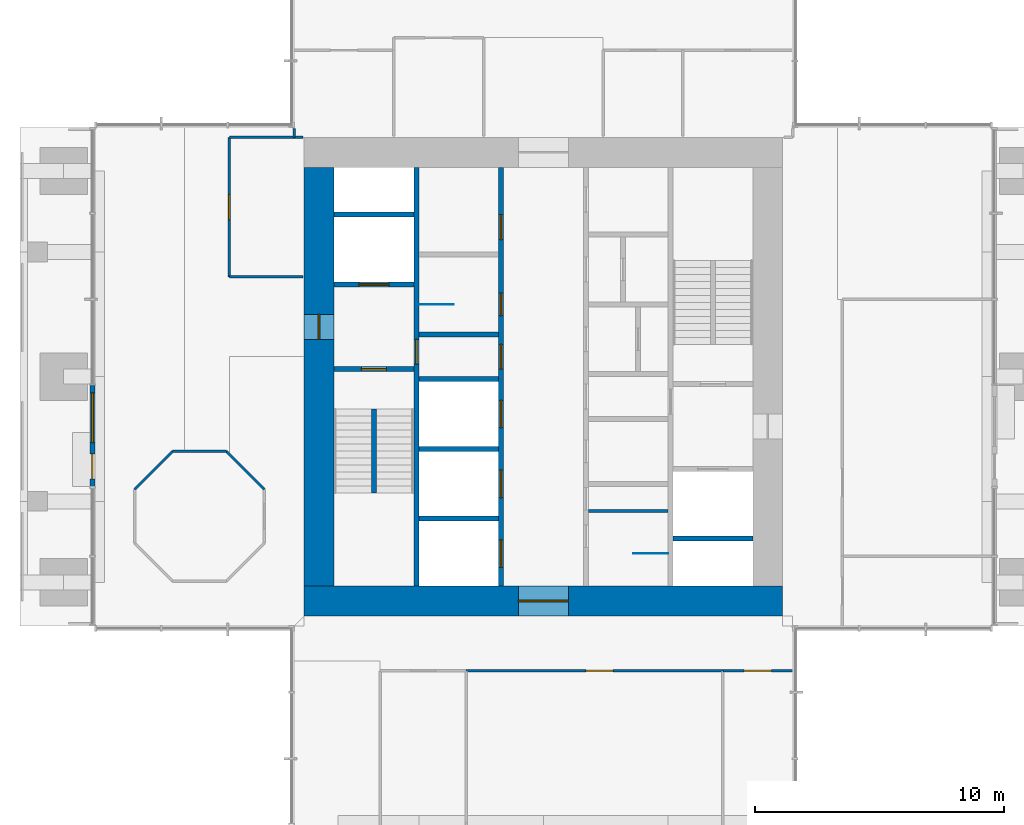
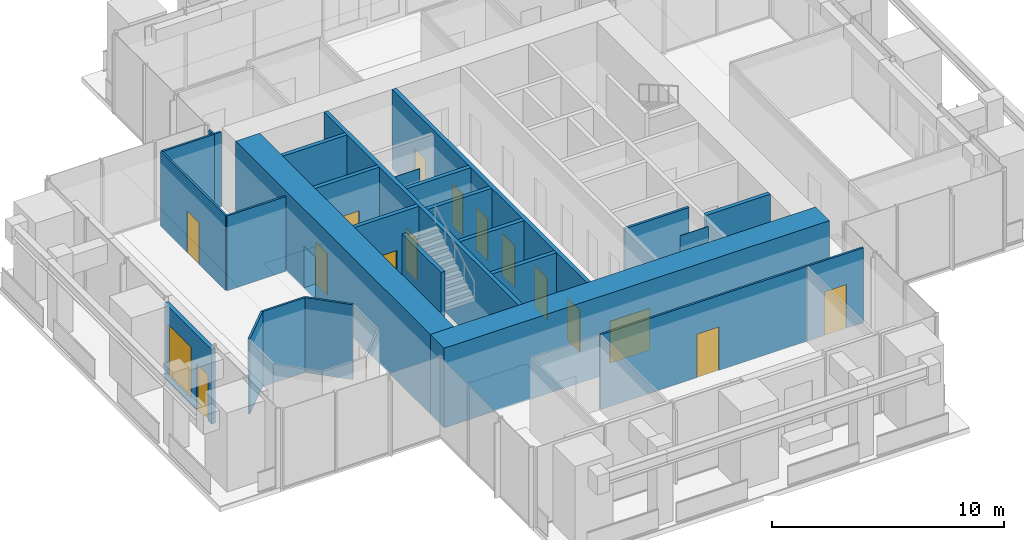
# One storey, part 7 of 12: 27 walls, 15 doors, 1 window, 16 openings.
"""IFC4 building model written with IfcOpenShell, lengths in metres."""

from ifc_helpers import new_model, si_unit, direction, frame, frame_2d, origin, place, context, subcontext, project, spatial, rectangle, extrude, material, layer, layer_set, type_object, element, fill, save


model = new_model("IFC4")

# Units and contexts
model_context = context("Model", 3, precision=1e-05, world=origin(), true_north=direction((0.0, 1.0)))
body_context = subcontext(model_context, "Body", "Model", "MODEL_VIEW")
ifc_project = project(units=[si_unit("LENGTHUNIT", "METRE"), si_unit("AREAUNIT", "SQUARE_METRE"), si_unit("VOLUMEUNIT", "CUBIC_METRE"), si_unit("PLANEANGLEUNIT", "RADIAN"), si_unit("MASSUNIT", "GRAM", prefix="KILO")], contexts=[model_context])

# Site, building, storey
site_placement = place(None, origin())
site = spatial("IfcSite", under=ifc_project, at=site_placement, CompositionType="ELEMENT")
building_placement = place(site_placement, origin())
building = spatial("IfcBuilding", under=site, at=building_placement, Name="Svetlomir Tower", CompositionType="ELEMENT")
storey_placement = place(building_placement, frame((0.0, 0.0, 269.199951171875)))
storey = spatial("IfcBuildingStorey", under=building, at=storey_placement, Name="L64", CompositionType="ELEMENT", Elevation=269.199951171875)

# Wall, openings, door, window
ifc_material_1 = material(Name="Bronze anodised aluminium glazed screen", Category="aluminium")
ifc_layer_1 = layer(ifc_material_1, 0.199951171875)
ifc_layer_set_1 = layer_set([ifc_layer_1], Name="Bronze anodised aluminium glazed screen")
wall_type_1 = type_object("IfcWallType", Name="BALCONY SCREEN WALL 200", PredefinedType="USERDEFINED", material=ifc_layer_set_1)
wall_1_placement = place(storey_placement, frame((2.89990234375, 20.64990234375, 0.0), z_axis=(0.0, 0.0, 1.0), x_axis=(0.0, -1.0, 0.0)))
wall_1 = element("IfcWall", 1, at=wall_1_placement, inside=storey, type_object=wall_type_1, Name="Balcony screen W", ObjectType="GLAZED SCREEN", PredefinedType="USERDEFINED", context=body_context, shape_type="SweptSolid", body=[
    extrude(rectangle(XDim=4.0498046875, YDim=0.199951171875, at=frame_2d((2.02490234375, 0.0))), origin(), (0.0, 0.0, 1.0), 3.949951171875),
])
opening_1_placement = place(wall_1_placement, frame((2.75, 0.0, 0.0)))
opening_1 = element("IfcOpeningElement", 2, at=opening_1_placement, cuts=wall_1, Name="Opening BD", PredefinedType="OPENING", context=body_context, shape_type="SweptSolid", body=[
    extrude(rectangle(XDim=1.0, YDim=2.39990234375, at=frame_2d((0.5, 1.199951171875))), frame((0.0, 0.10986328125, 0.0), z_axis=(0.0, -1.0, 0.0), x_axis=(1.0, 0.0, 0.0)), (0.0, 0.0, 1.0), 0.219970703125),
])
opening_2_placement = place(wall_1_placement, frame((0.300048828125, 0.0, 0.300048828125)))
opening_2 = element("IfcOpeningElement", 3, at=opening_2_placement, cuts=wall_1, Name="Opening WS", PredefinedType="OPENING", context=body_context, shape_type="SweptSolid", body=[
    extrude(rectangle(XDim=2.0, YDim=2.699951171875, at=frame_2d((1.0, 1.35009765625))), frame((0.0, 0.10986328125, 0.0), z_axis=(0.0, -1.0, 0.0), x_axis=(1.0, 0.0, 0.0)), (0.0, 0.0, 1.0), 0.219970703125),
])
ifc_material_2 = material(Name="Bronze anodised aluminium glazed door", Category="aluminium")
door_type_1 = type_object("IfcDoorType", Name="BALCONY DOOR BD 1000x2400", OperationType="SINGLE_SWING_LEFT", PredefinedType="DOOR", material=ifc_material_2)
door_1_placement = place(opening_1_placement, origin())
door_1 = element("IfcDoor", 4, at=door_1_placement, inside=storey, type_object=door_type_1, Name="Balcony screen W door", OperationType="SINGLE_SWING_LEFT", OverallHeight=2.39990234375, OverallWidth=1.0, PredefinedType="DOOR", context=body_context, shape_type="SweptSolid", body=[
    extrude(rectangle(XDim=1.0, YDim=2.39990234375, at=frame_2d((0.5, 1.199951171875))), frame((0.0, 0.02490234375, 0.0), z_axis=(0.0, -1.0, 0.0), x_axis=(1.0, 0.0, 0.0)), (0.0, 0.0, 1.0), 0.050048828125),
])
fill(opening_1, door_1)
ifc_material_3 = material(Name="Bronze anodised aluminium window", Category="aluminium")
window_type = type_object("IfcWindowType", Name="SCREEN WINDOW WS 2000x2700", PartitioningType="SINGLE_PANEL", PredefinedType="WINDOW", material=ifc_material_3)
window_placement = place(opening_2_placement, origin())
window = element("IfcWindow", 5, at=window_placement, inside=storey, type_object=window_type, Name="Balcony screen W window 1", OverallHeight=2.699951171875, OverallWidth=2.0, PartitioningType="SINGLE_PANEL", PredefinedType="WINDOW", context=body_context, shape_type="SweptSolid", body=[
    extrude(rectangle(XDim=2.0, YDim=2.699951171875, at=frame_2d((1.0, 1.35009765625))), frame((0.0, 0.030029296875, 0.0), z_axis=(0.0, -1.0, 0.0), x_axis=(1.0, 0.0, 0.0)), (0.0, 0.0, 1.0), 0.06005859375),
])
fill(opening_2, window)

# Wall, opening, door
ifc_material_4 = material(Name="Concrete C60/75", Category="concrete")
ifc_layer_2 = layer(ifc_material_4, 0.199951171875)
ifc_layer_set_2 = layer_set([ifc_layer_2], Name="Concrete C60/75")
wall_type_2 = type_object("IfcWallType", Name="CORE INNER WALL 200", PredefinedType="SHEAR", material=ifc_layer_set_2)
wall_2_placement = place(storey_placement, frame((15.89990234375, 12.60009765625, -0.050048828125), z_axis=(0.0, 0.0, 1.0), x_axis=(0.0, 1.0, 0.0)))
wall_2 = element("IfcWall", 6, at=wall_2_placement, inside=storey, type_object=wall_type_2, Name="Core inner wall 15.9 L64", PredefinedType="SHEAR", context=body_context, shape_type="SweptSolid", body=[
    extrude(rectangle(XDim=16.7998046875, YDim=0.199951171875, at=frame_2d((8.39990234375, 0.0))), origin(), (0.0, 0.0, 1.0), 4.2001953125),
])
opening_3_placement = place(wall_2_placement, frame((8.89990234375, 0.0, 0.050048828125)))
opening_3 = element("IfcOpeningElement", 7, at=opening_3_placement, cuts=wall_2, Name="Opening DF", PredefinedType="OPENING", context=body_context, shape_type="SweptSolid", body=[
    extrude(rectangle(XDim=1.0, YDim=2.199951171875, at=frame_2d((0.5, 1.10009765625))), frame((0.0, 0.10986328125, 0.0), z_axis=(0.0, -1.0, 0.0), x_axis=(1.0, 0.0, 0.0)), (0.0, 0.0, 1.0), 0.219970703125),
])
ifc_material_5 = material(Name="Steel fire door", Category="steel")
door_type_2 = type_object("IfcDoorType", Name="DOOR DF 1000x2200", OperationType="SINGLE_SWING_LEFT", PredefinedType="DOOR", material=ifc_material_5)
door_2_placement = place(opening_3_placement, origin())
door_2 = element("IfcDoor", 8, at=door_2_placement, inside=storey, type_object=door_type_2, Name="Core corridor west door L64", OperationType="SINGLE_SWING_LEFT", OverallHeight=2.199951171875, OverallWidth=1.0, PredefinedType="DOOR", context=body_context, shape_type="SweptSolid", body=[
    extrude(rectangle(XDim=1.0, YDim=2.199951171875, at=frame_2d((0.5, 1.10009765625))), frame((0.0, 0.02490234375, 0.0), z_axis=(0.0, -1.0, 0.0), x_axis=(1.0, 0.0, 0.0)), (0.0, 0.0, 1.0), 0.050048828125),
])
fill(opening_3, door_2)

# Wall, openings, doors
wall_3_placement = place(storey_placement, frame((19.300048828125, 12.60009765625, -0.050048828125), z_axis=(0.0, 0.0, 1.0), x_axis=(0.0, 1.0, 0.0)))
wall_3 = element("IfcWall", 9, at=wall_3_placement, inside=storey, type_object=wall_type_2, Name="Core inner wall 19.3 L64", PredefinedType="SHEAR", context=body_context, shape_type="SweptSolid", body=[
    extrude(rectangle(XDim=16.7998046875, YDim=0.199951171875, at=frame_2d((8.39990234375, 0.0))), origin(), (0.0, 0.0, 1.0), 4.2001953125),
])
opening_4_placement = place(wall_3_placement, frame((8.699951171875, 0.0, 0.050048828125)))
opening_4 = element("IfcOpeningElement", 10, at=opening_4_placement, cuts=wall_3, Name="Opening DC", PredefinedType="OPENING", context=body_context, shape_type="SweptSolid", body=[
    extrude(rectangle(XDim=1.0, YDim=2.199951171875, at=frame_2d((0.5, 1.10009765625))), frame((0.0, 0.10986328125, 0.0), z_axis=(0.0, -1.0, 0.0), x_axis=(1.0, 0.0, 0.0)), (0.0, 0.0, 1.0), 0.219970703125),
])
opening_5_placement = place(wall_3_placement, frame((10.85009765625, 0.0, 0.050048828125)))
opening_5 = element("IfcOpeningElement", 11, at=opening_5_placement, cuts=wall_3, Name="Opening DW", PredefinedType="OPENING", context=body_context, shape_type="SweptSolid", body=[
    extrude(rectangle(XDim=0.89990234375, YDim=2.199951171875, at=frame_2d((0.449951171875, 1.10009765625))), frame((0.0, 0.10986328125, 0.0), z_axis=(0.0, -1.0, 0.0), x_axis=(1.0, 0.0, 0.0)), (0.0, 0.0, 1.0), 0.219970703125),
])
opening_6_placement = place(wall_3_placement, frame((13.89990234375, 0.0, 0.050048828125)))
opening_6 = element("IfcOpeningElement", 12, at=opening_6_placement, cuts=wall_3, Name="Opening DC", PredefinedType="OPENING", context=body_context, shape_type="SweptSolid", body=[
    extrude(rectangle(XDim=1.0, YDim=2.199951171875, at=frame_2d((0.5, 1.10009765625))), frame((0.0, 0.10986328125, 0.0), z_axis=(0.0, -1.0, 0.0), x_axis=(1.0, 0.0, 0.0)), (0.0, 0.0, 1.0), 0.219970703125),
])
opening_7_placement = place(wall_3_placement, frame((0.75, 0.0, 0.050048828125)))
opening_7 = element("IfcOpeningElement", 13, at=opening_7_placement, cuts=wall_3, Name="Opening LD", PredefinedType="OPENING", context=body_context, shape_type="SweptSolid", body=[
    extrude(rectangle(XDim=1.10009765625, YDim=2.199951171875, at=frame_2d((0.550048828125, 1.10009765625))), frame((0.0, 0.10986328125, 0.0), z_axis=(0.0, -1.0, 0.0), x_axis=(1.0, 0.0, 0.0)), (0.0, 0.0, 1.0), 0.219970703125),
])
opening_8_placement = place(wall_3_placement, frame((3.550048828125, 0.0, 0.050048828125)))
opening_8 = element("IfcOpeningElement", 14, at=opening_8_placement, cuts=wall_3, Name="Opening LD", PredefinedType="OPENING", context=body_context, shape_type="SweptSolid", body=[
    extrude(rectangle(XDim=1.10009765625, YDim=2.199951171875, at=frame_2d((0.550048828125, 1.10009765625))), frame((0.0, 0.10986328125, 0.0), z_axis=(0.0, -1.0, 0.0), x_axis=(1.0, 0.0, 0.0)), (0.0, 0.0, 1.0), 0.219970703125),
])
opening_9_placement = place(wall_3_placement, frame((6.35009765625, 0.0, 0.050048828125)))
opening_9 = element("IfcOpeningElement", 15, at=opening_9_placement, cuts=wall_3, Name="Opening LD", PredefinedType="OPENING", context=body_context, shape_type="SweptSolid", body=[
    extrude(rectangle(XDim=1.10009765625, YDim=2.199951171875, at=frame_2d((0.550048828125, 1.10009765625))), frame((0.0, 0.10986328125, 0.0), z_axis=(0.0, -1.0, 0.0), x_axis=(1.0, 0.0, 0.0)), (0.0, 0.0, 1.0), 0.219970703125),
])
ifc_material_6 = material(Name="Timber fire door", Category="wood")
door_type_3 = type_object("IfcDoorType", Name="DOOR DC 1000x2200", OperationType="SINGLE_SWING_LEFT", PredefinedType="DOOR", material=ifc_material_6)
door_3_placement = place(opening_4_placement, origin())
door_3 = element("IfcDoor", 16, at=door_3_placement, inside=storey, type_object=door_type_3, Name="Core corridor west lobby door L64", OperationType="SINGLE_SWING_RIGHT", OverallHeight=2.199951171875, OverallWidth=1.0, PredefinedType="DOOR", context=body_context, shape_type="SweptSolid", body=[
    extrude(rectangle(XDim=1.0, YDim=2.199951171875, at=frame_2d((0.5, 1.10009765625))), frame((0.0, 0.02490234375, 0.0), z_axis=(0.0, -1.0, 0.0), x_axis=(1.0, 0.0, 0.0)), (0.0, 0.0, 1.0), 0.050048828125),
])
fill(opening_4, door_3)
door_4_placement = place(opening_6_placement, origin())
door_4 = element("IfcDoor", 17, at=door_4_placement, inside=storey, type_object=door_type_3, Name="Accessible WC door L64", OperationType="SINGLE_SWING_LEFT", OverallHeight=2.199951171875, OverallWidth=1.0, PredefinedType="DOOR", context=body_context, shape_type="SweptSolid", body=[
    extrude(rectangle(XDim=1.0, YDim=2.199951171875, at=frame_2d((0.5, 1.10009765625))), frame((0.0, 0.02490234375, 0.0), z_axis=(0.0, -1.0, 0.0), x_axis=(1.0, 0.0, 0.0)), (0.0, 0.0, 1.0), 0.050048828125),
])
fill(opening_6, door_4)
ifc_material_7 = material(Name="Timber fire door", Category="wood")
door_type_4 = type_object("IfcDoorType", Name="DOOR DW 900x2200", OperationType="SINGLE_SWING_LEFT", PredefinedType="DOOR", material=ifc_material_7)
door_5_placement = place(opening_5_placement, origin())
door_5 = element("IfcDoor", 18, at=door_5_placement, inside=storey, type_object=door_type_4, Name="Female WC door L64", OperationType="SINGLE_SWING_LEFT", OverallHeight=2.199951171875, OverallWidth=0.89990234375, PredefinedType="DOOR", context=body_context, shape_type="SweptSolid", body=[
    extrude(rectangle(XDim=0.89990234375, YDim=2.199951171875, at=frame_2d((0.449951171875, 1.10009765625))), frame((0.0, 0.02490234375, 0.0), z_axis=(0.0, -1.0, 0.0), x_axis=(1.0, 0.0, 0.0)), (0.0, 0.0, 1.0), 0.050048828125),
])
fill(opening_5, door_5)
ifc_material_8 = material(Name="Stainless steel landing door", Category="steel")
door_type_5 = type_object("IfcDoorType", Name="LIFT LANDING DOOR LD 1100x2200", OperationType="DOUBLE_DOOR_SLIDING", PredefinedType="DOOR", material=ifc_material_8)
door_6_placement = place(opening_7_placement, origin())
door_6 = element("IfcDoor", 19, at=door_6_placement, inside=storey, type_object=door_type_5, Name="Landing door lift LD1 L64", OperationType="DOUBLE_DOOR_SLIDING", OverallHeight=2.199951171875, OverallWidth=1.10009765625, PredefinedType="DOOR", context=body_context, shape_type="SweptSolid", body=[
    extrude(rectangle(XDim=1.10009765625, YDim=2.199951171875, at=frame_2d((0.550048828125, 1.10009765625))), frame((0.0, 0.02490234375, 0.0), z_axis=(0.0, -1.0, 0.0), x_axis=(1.0, 0.0, 0.0)), (0.0, 0.0, 1.0), 0.050048828125),
])
fill(opening_7, door_6)
door_7_placement = place(opening_8_placement, origin())
door_7 = element("IfcDoor", 20, at=door_7_placement, inside=storey, type_object=door_type_5, Name="Landing door lift LD2 L64", OperationType="DOUBLE_DOOR_SLIDING", OverallHeight=2.199951171875, OverallWidth=1.10009765625, PredefinedType="DOOR", context=body_context, shape_type="SweptSolid", body=[
    extrude(rectangle(XDim=1.10009765625, YDim=2.199951171875, at=frame_2d((0.550048828125, 1.10009765625))), frame((0.0, 0.02490234375, 0.0), z_axis=(0.0, -1.0, 0.0), x_axis=(1.0, 0.0, 0.0)), (0.0, 0.0, 1.0), 0.050048828125),
])
fill(opening_8, door_7)
door_8_placement = place(opening_9_placement, origin())
door_8 = element("IfcDoor", 21, at=door_8_placement, inside=storey, type_object=door_type_5, Name="Landing door lift LD3 L64", OperationType="DOUBLE_DOOR_SLIDING", OverallHeight=2.199951171875, OverallWidth=1.10009765625, PredefinedType="DOOR", context=body_context, shape_type="SweptSolid", body=[
    extrude(rectangle(XDim=1.10009765625, YDim=2.199951171875, at=frame_2d((0.550048828125, 1.10009765625))), frame((0.0, 0.02490234375, 0.0), z_axis=(0.0, -1.0, 0.0), x_axis=(1.0, 0.0, 0.0)), (0.0, 0.0, 1.0), 0.050048828125),
])
fill(opening_9, door_8)

# Wall, opening, door
wall_4_placement = place(storey_placement, frame((12.60009765625, 21.300048828125, -0.050048828125), z_axis=(0.0, 0.0, 1.0), x_axis=(1.0, 0.0, 0.0)))
wall_4 = element("IfcWall", 22, at=wall_4_placement, inside=storey, type_object=wall_type_2, Name="Core inner wall 12.6-15.8/21.3 L64", PredefinedType="SHEAR", context=body_context, shape_type="SweptSolid", body=[
    extrude(rectangle(XDim=3.199951171875, YDim=0.199951171875, at=frame_2d((1.60009765625, 0.0))), origin(), (0.0, 0.0, 1.0), 4.2001953125),
])
opening_10_placement = place(wall_4_placement, frame((1.10009765625, 0.0, 0.050048828125)))
opening_10 = element("IfcOpeningElement", 23, at=opening_10_placement, cuts=wall_4, Name="Opening DF", PredefinedType="OPENING", context=body_context, shape_type="SweptSolid", body=[
    extrude(rectangle(XDim=1.0, YDim=2.199951171875, at=frame_2d((0.5, 1.10009765625))), frame((0.0, 0.10986328125, 0.0), z_axis=(0.0, -1.0, 0.0), x_axis=(1.0, 0.0, 0.0)), (0.0, 0.0, 1.0), 0.219970703125),
])
door_9_placement = place(opening_10_placement, origin())
door_9 = element("IfcDoor", 24, at=door_9_placement, inside=storey, type_object=door_type_2, Name="Stair S1 door L64", OperationType="SINGLE_SWING_RIGHT", OverallHeight=2.199951171875, OverallWidth=1.0, PredefinedType="DOOR", context=body_context, shape_type="SweptSolid", body=[
    extrude(rectangle(XDim=1.0, YDim=2.199951171875, at=frame_2d((0.5, 1.10009765625))), frame((0.0, 0.02490234375, 0.0), z_axis=(0.0, -1.0, 0.0), x_axis=(1.0, 0.0, 0.0)), (0.0, 0.0, 1.0), 0.050048828125),
])
fill(opening_10, door_9)

wall_5_placement = place(storey_placement, frame((12.60009765625, 24.699951171875, -0.050048828125), z_axis=(0.0, 0.0, 1.0), x_axis=(1.0, 0.0, 0.0)))
wall_5 = element("IfcWall", 25, at=wall_5_placement, inside=storey, type_object=wall_type_2, Name="Core inner wall 12.6-15.8/24.7 L64", PredefinedType="SHEAR", context=body_context, shape_type="SweptSolid", body=[
    extrude(rectangle(XDim=3.199951171875, YDim=0.199951171875, at=frame_2d((1.60009765625, 0.0))), origin(), (0.0, 0.0, 1.0), 4.2001953125),
])
opening_11_placement = place(wall_5_placement, frame((1.0, 0.0, 0.050048828125)))
opening_11 = element("IfcOpeningElement", 26, at=opening_11_placement, cuts=wall_5, Name="Opening LD3", PredefinedType="OPENING", context=body_context, shape_type="SweptSolid", body=[
    extrude(rectangle(XDim=1.199951171875, YDim=2.199951171875, at=frame_2d((0.60009765625, 1.10009765625))), frame((0.0, 0.10986328125, 0.0), z_axis=(0.0, -1.0, 0.0), x_axis=(1.0, 0.0, 0.0)), (0.0, 0.0, 1.0), 0.219970703125),
])
ifc_material_9 = material(Name="Stainless steel fire-rated landing door", Category="steel")
door_type_6 = type_object("IfcDoorType", Name="FIREFIGHTING LIFT LANDING DOOR LD3 1200x2200", OperationType="DOUBLE_DOOR_SLIDING", PredefinedType="DOOR", material=ifc_material_9)
door_10_placement = place(opening_11_placement, origin())
door_10 = element("IfcDoor", 27, at=door_10_placement, inside=storey, type_object=door_type_6, Name="Landing door lift FL1 L64", OperationType="DOUBLE_DOOR_SLIDING", OverallHeight=2.199951171875, OverallWidth=1.199951171875, PredefinedType="DOOR", context=body_context, shape_type="SweptSolid", body=[
    extrude(rectangle(XDim=1.199951171875, YDim=2.199951171875, at=frame_2d((0.60009765625, 1.10009765625))), frame((0.0, 0.02490234375, 0.0), z_axis=(0.0, -1.0, 0.0), x_axis=(1.0, 0.0, 0.0)), (0.0, 0.0, 1.0), 0.050048828125),
])
fill(opening_11, door_10)

# Walls
for number, where, z_axis, x_axis, name in (
    (28, (12.60009765625, 27.5, -0.050048828125), (0.0, 0.0, 1.0), (1.0, 0.0, 0.0), "Core inner wall 12.6-15.8/27.5 L64"),
    (29, (16.0, 15.300048828125, -0.050048828125), (0.0, 0.0, 1.0), (1.0, 0.0, 0.0), "Core inner wall 16-19.2/15.3 L64"),
    (30, (16.0, 18.10009765625, -0.050048828125), (0.0, 0.0, 1.0), (1.0, 0.0, 0.0), "Core inner wall 16-19.2/18.1 L64"),
    (31, (16.0, 20.89990234375, -0.050048828125), (0.0, 0.0, 1.0), (1.0, 0.0, 0.0), "Core inner wall 16-19.2/20.9 L64"),
    (32, (16.0, 22.699951171875, -0.050048828125), (0.0, 0.0, 1.0), (1.0, 0.0, 0.0), "Core inner wall 16-19.2/22.7 L64"),
    (33, (26.199951171875, 14.5, -0.050048828125), (0.0, 0.0, 1.0), (1.0, 0.0, 0.0), "Core inner wall 26.2-29.4/14.5 L64"),
):
    element("IfcWall", number, at=place(storey_placement, frame(where, z_axis=z_axis, x_axis=x_axis)), inside=storey, type_object=wall_type_2, Name=name, PredefinedType="SHEAR", context=body_context, shape_type="SweptSolid", body=[
        extrude(rectangle(XDim=3.199951171875, YDim=0.199951171875, at=frame_2d((1.60009765625, 0.0))), origin(), (0.0, 0.0, 1.0), 4.2001953125),
    ])

# Wall, opening, door
ifc_material_10 = material(Name="Concrete C60/75", Category="concrete")
ifc_layer_3 = layer(ifc_material_10, 1.199951171875)
ifc_layer_set_3 = layer_set([ifc_layer_3], Name="Concrete C60/75")
wall_type_3 = type_object("IfcWallType", Name="CORE WALL 1200", PredefinedType="SHEAR", material=ifc_layer_set_3)
wall_6_placement = place(storey_placement, frame((11.39990234375, 12.0, -0.050048828125), z_axis=(0.0, 0.0, 1.0), x_axis=(1.0, 0.0, 0.0)))
wall_6 = element("IfcWall", 34, at=wall_6_placement, inside=storey, type_object=wall_type_3, Name="Core wall south L64", PredefinedType="SHEAR", context=body_context, shape_type="SweptSolid", body=[
    extrude(rectangle(XDim=19.2001953125, YDim=1.199951171875, at=frame_2d((9.60009765625, 0.0))), origin(), (0.0, 0.0, 1.0), 4.2001953125),
])
opening_12_placement = place(wall_6_placement, frame((8.60009765625, 0.0, 0.050048828125)))
opening_12 = element("IfcOpeningElement", 35, at=opening_12_placement, cuts=wall_6, Name="Opening DL", PredefinedType="OPENING", context=body_context, shape_type="SweptSolid", body=[
    extrude(rectangle(XDim=2.0, YDim=2.199951171875, at=frame_2d((1.0, 1.10009765625))), frame((0.0, 0.60986328125, 0.0), z_axis=(0.0, -1.0, 0.0), x_axis=(1.0, 0.0, 0.0)), (0.0, 0.0, 1.0), 1.219970703125),
])
ifc_material_11 = material(Name="Steel fire door", Category="steel")
door_type_7 = type_object("IfcDoorType", Name="DOOR DL 2000x2200", OperationType="DOUBLE_DOOR_SINGLE_SWING", PredefinedType="DOOR", material=ifc_material_11)
door_11_placement = place(opening_12_placement, origin())
door_11 = element("IfcDoor", 36, at=door_11_placement, inside=storey, type_object=door_type_7, Name="Lift lobby south door L64", OperationType="DOUBLE_DOOR_SINGLE_SWING", OverallHeight=2.199951171875, OverallWidth=2.0, PredefinedType="DOOR", context=body_context, shape_type="SweptSolid", body=[
    extrude(rectangle(XDim=2.0, YDim=2.199951171875, at=frame_2d((1.0, 1.10009765625))), frame((0.0, 0.02490234375, 0.0), z_axis=(0.0, -1.0, 0.0), x_axis=(1.0, 0.0, 0.0)), (0.0, 0.0, 1.0), 0.050048828125),
])
fill(opening_12, door_11)

wall_7_placement = place(storey_placement, frame((12.0, 12.60009765625, -0.050048828125), z_axis=(0.0, 0.0, 1.0), x_axis=(0.0, 1.0, 0.0)))
wall_7 = element("IfcWall", 37, at=wall_7_placement, inside=storey, type_object=wall_type_3, Name="Core wall west L64", PredefinedType="SHEAR", context=body_context, shape_type="SweptSolid", body=[
    extrude(rectangle(XDim=16.7998046875, YDim=1.199951171875, at=frame_2d((8.39990234375, 0.0))), origin(), (0.0, 0.0, 1.0), 4.2001953125),
])
opening_13_placement = place(wall_7_placement, frame((9.89990234375, 0.0, 0.050048828125)))
opening_13 = element("IfcOpeningElement", 38, at=opening_13_placement, cuts=wall_7, Name="Opening DF", PredefinedType="OPENING", context=body_context, shape_type="SweptSolid", body=[
    extrude(rectangle(XDim=1.0, YDim=2.199951171875, at=frame_2d((0.5, 1.10009765625))), frame((0.0, 0.60986328125, 0.0), z_axis=(0.0, -1.0, 0.0), x_axis=(1.0, 0.0, 0.0)), (0.0, 0.0, 1.0), 1.219970703125),
])
door_12_placement = place(opening_13_placement, origin())
door_12 = element("IfcDoor", 39, at=door_12_placement, inside=storey, type_object=door_type_2, Name="Firefighting lobby west door L64", OperationType="SINGLE_SWING_RIGHT", OverallHeight=2.199951171875, OverallWidth=1.0, PredefinedType="DOOR", context=body_context, shape_type="SweptSolid", body=[
    extrude(rectangle(XDim=1.0, YDim=2.199951171875, at=frame_2d((0.5, 1.10009765625))), frame((0.0, 0.02490234375, 0.0), z_axis=(0.0, -1.0, 0.0), x_axis=(1.0, 0.0, 0.0)), (0.0, 0.0, 1.0), 0.050048828125),
])
fill(opening_13, door_12)

# Walls
ifc_material_12 = material(Name="Framed laminated glass partition", Category="glass")
ifc_layer_4 = layer(ifc_material_12, 0.10009765625)
ifc_layer_set_4 = layer_set([ifc_layer_4], Name="Framed laminated glass partition")
wall_type_4 = type_object("IfcWallType", Name="GLAZED PARTITION 100", PredefinedType="PARTITIONING", material=ifc_layer_set_4)
wall_8_placement = place(storey_placement, frame((4.60009765625, 16.47705078125, 0.0), z_axis=(0.0, 0.0, 1.0), x_axis=(0.707106781187, 0.707106781187, 0.0)))
element("IfcWall", 40, at=wall_8_placement, inside=storey, type_object=wall_type_4, Name="Glazed partition L64", PredefinedType="PARTITIONING", context=body_context, shape_type="SweptSolid", body=[
    extrude(rectangle(XDim=2.15380859375, YDim=0.10009765625, at=frame_2d((1.076904296875, 0.0))), origin(), (0.0, 0.0, 1.0), 3.949951171875),
])
wall_9_placement = place(storey_placement, frame((6.123046875, 18.0, 0.0), z_axis=(0.0, 0.0, 1.0), x_axis=(1.0, 0.0, 0.0)))
element("IfcWall", 41, at=wall_9_placement, inside=storey, type_object=wall_type_4, Name="Glazed partition L64", PredefinedType="PARTITIONING", context=body_context, shape_type="SweptSolid", body=[
    extrude(rectangle(XDim=2.154052734375, YDim=0.10009765625, at=frame_2d((1.0771484375, 0.0))), origin(), (0.0, 0.0, 1.0), 3.949951171875),
])
wall_10_placement = place(storey_placement, frame((8.277099609375, 18.0, 0.0), z_axis=(0.0, 0.0, 1.0), x_axis=(0.707106781187, -0.707106781187, 0.0)))
element("IfcWall", 42, at=wall_10_placement, inside=storey, type_object=wall_type_4, Name="Glazed partition L64", PredefinedType="PARTITIONING", context=body_context, shape_type="SweptSolid", body=[
    extrude(rectangle(XDim=2.15380859375, YDim=0.10009765625, at=frame_2d((1.076904296875, 0.0))), origin(), (0.0, 0.0, 1.0), 3.949951171875),
])

# Wall, opening, door
wall_11_placement = place(storey_placement, frame((8.39990234375, 25.0, 0.0), z_axis=(0.0, 0.0, 1.0), x_axis=(0.0, 1.0, 0.0)))
wall_11 = element("IfcWall", 43, at=wall_11_placement, inside=storey, type_object=wall_type_4, Name="Glazed partition L64", PredefinedType="PARTITIONING", context=body_context, shape_type="SweptSolid", body=[
    extrude(rectangle(XDim=5.60009765625, YDim=0.10009765625, at=frame_2d((2.800048828125, 0.0))), origin(), (0.0, 0.0, 1.0), 3.949951171875),
])
opening_14_placement = place(wall_11_placement, frame((2.300048828125, 0.0, 0.0)))
opening_14 = element("IfcOpeningElement", 44, at=opening_14_placement, cuts=wall_11, Name="Opening DR", PredefinedType="OPENING", context=body_context, shape_type="SweptSolid", body=[
    extrude(rectangle(XDim=1.0, YDim=2.199951171875, at=frame_2d((0.5, 1.10009765625))), frame((0.0, 0.06005859375, 0.0), z_axis=(0.0, -1.0, 0.0), x_axis=(1.0, 0.0, 0.0)), (0.0, 0.0, 1.0), 0.1201171875),
])
ifc_material_13 = material(Name="Timber door, glazed side light", Category="wood")
door_type_8 = type_object("IfcDoorType", Name="DOOR DR 1000x2200", OperationType="SINGLE_SWING_LEFT", PredefinedType="DOOR", material=ifc_material_13)
door_13_placement = place(opening_14_placement, origin())
door_13 = element("IfcDoor", 45, at=door_13_placement, inside=storey, type_object=door_type_8, Name="Focus room door L64", OperationType="SINGLE_SWING_RIGHT", OverallHeight=2.199951171875, OverallWidth=1.0, PredefinedType="DOOR", context=body_context, shape_type="SweptSolid", body=[
    extrude(rectangle(XDim=1.0, YDim=2.199951171875, at=frame_2d((0.5, 1.10009765625))), frame((0.0, 0.02490234375, 0.0), z_axis=(0.0, -1.0, 0.0), x_axis=(1.0, 0.0, 0.0)), (0.0, 0.0, 1.0), 0.050048828125),
])
fill(opening_14, door_13)

# Walls
wall_12_placement = place(storey_placement, frame((8.39990234375, 25.0, 0.0), z_axis=(0.0, 0.0, 1.0), x_axis=(1.0, 0.0, 0.0)))
element("IfcWall", 46, at=wall_12_placement, inside=storey, type_object=wall_type_4, Name="Glazed partition L64", PredefinedType="PARTITIONING", context=body_context, shape_type="SweptSolid", body=[
    extrude(rectangle(XDim=2.9501953125, YDim=0.10009765625, at=frame_2d((1.47509765625, 0.0))), origin(), (0.0, 0.0, 1.0), 3.949951171875),
])
wall_13_placement = place(storey_placement, frame((8.39990234375, 30.60009765625, 0.0), z_axis=(0.0, 0.0, 1.0), x_axis=(1.0, 0.0, 0.0)))
element("IfcWall", 47, at=wall_13_placement, inside=storey, type_object=wall_type_4, Name="Glazed partition L64", PredefinedType="PARTITIONING", context=body_context, shape_type="SweptSolid", body=[
    extrude(rectangle(XDim=2.60009765625, YDim=0.10009765625, at=frame_2d((1.300048828125, 0.0))), origin(), (0.0, 0.0, 1.0), 3.949951171875),
])
wall_14_placement = place(storey_placement, frame((11.0, 30.60009765625, 0.0), z_axis=(0.0, 0.0, 1.0), x_axis=(0.0, 1.0, 0.0)))
element("IfcWall", 48, at=wall_14_placement, inside=storey, type_object=wall_type_4, Name="Glazed partition L64", PredefinedType="PARTITIONING", context=body_context, shape_type="SweptSolid", body=[
    extrude(rectangle(XDim=0.349853515625, YDim=0.10009765625, at=frame_2d((0.1748046875, 0.0))), origin(), (0.0, 0.0, 1.0), 3.949951171875),
])
wall_15_placement = place(storey_placement, frame((11.0, 30.60009765625, 0.0), z_axis=(0.0, 0.0, 1.0), x_axis=(1.0, 0.0, 0.0)))
element("IfcWall", 49, at=wall_15_placement, inside=storey, type_object=wall_type_4, Name="Partition L64", PredefinedType="PARTITIONING", context=body_context, shape_type="SweptSolid", body=[
    extrude(rectangle(XDim=0.35009765625, YDim=0.10009765625, at=frame_2d((0.175048828125, 0.0))), origin(), (0.0, 0.0, 1.0), 3.949951171875),
])

# Wall, opening, door
wall_16_placement = place(storey_placement, frame((17.89990234375, 9.199951171875, 0.0), z_axis=(0.0, 0.0, 1.0), x_axis=(1.0, 0.0, 0.0)))
wall_16 = element("IfcWall", 50, at=wall_16_placement, inside=storey, type_object=wall_type_4, Name="Partition L64", PredefinedType="PARTITIONING", context=body_context, shape_type="SweptSolid", body=[
    extrude(rectangle(XDim=10.300048828125, YDim=0.10009765625, at=frame_2d((5.14990234375, 0.0))), origin(), (0.0, 0.0, 1.0), 3.949951171875),
])
opening_15_placement = place(wall_16_placement, frame((4.800048828125, 0.0, 0.0)))
opening_15 = element("IfcOpeningElement", 51, at=opening_15_placement, cuts=wall_16, Name="Opening DE", PredefinedType="OPENING", context=body_context, shape_type="SweptSolid", body=[
    extrude(rectangle(XDim=1.10009765625, YDim=2.300048828125, at=frame_2d((0.550048828125, 1.14990234375))), frame((0.0, 0.06005859375, 0.0), z_axis=(0.0, -1.0, 0.0), x_axis=(1.0, 0.0, 0.0)), (0.0, 0.0, 1.0), 0.1201171875),
])
ifc_material_14 = material(Name="Walnut veneered timber door", Category="wood")
door_type_9 = type_object("IfcDoorType", Name="DOOR DE 1100x2300", OperationType="SINGLE_SWING_LEFT", PredefinedType="DOOR", material=ifc_material_14)
door_14_placement = place(opening_15_placement, origin())
door_14 = element("IfcDoor", 52, at=door_14_placement, inside=storey, type_object=door_type_9, Name="Executive office - Group CEO door L64", OperationType="SINGLE_SWING_RIGHT", OverallHeight=2.300048828125, OverallWidth=1.10009765625, PredefinedType="DOOR", context=body_context, shape_type="SweptSolid", body=[
    extrude(rectangle(XDim=1.10009765625, YDim=2.300048828125, at=frame_2d((0.550048828125, 1.14990234375))), frame((0.0, 0.02490234375, 0.0), z_axis=(0.0, -1.0, 0.0), x_axis=(1.0, 0.0, 0.0)), (0.0, 0.0, 1.0), 0.050048828125),
])
fill(opening_15, door_14)

wall_17_placement = place(storey_placement, frame((28.199951171875, 9.199951171875, 0.0), z_axis=(0.0, 0.0, 1.0), x_axis=(1.0, 0.0, 0.0)))
wall_17 = element("IfcWall", 53, at=wall_17_placement, inside=storey, type_object=wall_type_4, Name="Glazed partition L64", PredefinedType="PARTITIONING", context=body_context, shape_type="SweptSolid", body=[
    extrude(rectangle(XDim=2.800048828125, YDim=0.10009765625, at=frame_2d((1.39990234375, 0.0))), origin(), (0.0, 0.0, 1.0), 3.949951171875),
])
opening_16_placement = place(wall_17_placement, frame((0.85009765625, 0.0, 0.0)))
opening_16 = element("IfcOpeningElement", 54, at=opening_16_placement, cuts=wall_17, Name="Opening DE", PredefinedType="OPENING", context=body_context, shape_type="SweptSolid", body=[
    extrude(rectangle(XDim=1.10009765625, YDim=2.300048828125, at=frame_2d((0.550048828125, 1.14990234375))), frame((0.0, 0.06005859375, 0.0), z_axis=(0.0, -1.0, 0.0), x_axis=(1.0, 0.0, 0.0)), (0.0, 0.0, 1.0), 0.1201171875),
])
door_15_placement = place(opening_16_placement, origin())
door_15 = element("IfcDoor", 55, at=door_15_placement, inside=storey, type_object=door_type_9, Name="Executive meeting room, 12 seats door L64", OperationType="SINGLE_SWING_LEFT", OverallHeight=2.300048828125, OverallWidth=1.10009765625, PredefinedType="DOOR", context=body_context, shape_type="SweptSolid", body=[
    extrude(rectangle(XDim=1.10009765625, YDim=2.300048828125, at=frame_2d((0.550048828125, 1.14990234375))), frame((0.0, 0.02490234375, 0.0), z_axis=(0.0, -1.0, 0.0), x_axis=(1.0, 0.0, 0.0)), (0.0, 0.0, 1.0), 0.050048828125),
])
fill(opening_16, door_15)

# Walls
ifc_material_15 = material(Name="Gypsum board on steel studs", Category="steel")
ifc_layer_5 = layer(ifc_material_15, 0.1201171875)
ifc_layer_set_5 = layer_set([ifc_layer_5], Name="Gypsum board on steel studs")
wall_type_5 = type_object("IfcWallType", Name="PARTITION 120", PredefinedType="PARTITIONING", material=ifc_layer_set_5)
wall_18_placement = place(storey_placement, frame((22.800048828125, 15.60009765625, 0.0), z_axis=(0.0, 0.0, 1.0), x_axis=(1.0, 0.0, 0.0)))
element("IfcWall", 56, at=wall_18_placement, inside=storey, type_object=wall_type_5, Name="Shower room partition L64", PredefinedType="PARTITIONING", context=body_context, shape_type="SweptSolid", body=[
    extrude(rectangle(XDim=3.199951171875, YDim=0.1201171875, at=frame_2d((1.60009765625, 0.0))), origin(), (0.0, 0.0, 1.0), 3.949951171875),
])
ifc_material_16 = material(Name="Concrete C60/75", Category="concrete")
ifc_layer_6 = layer(ifc_material_16, 0.199951171875)
ifc_layer_set_6 = layer_set([ifc_layer_6], Name="Concrete C60/75")
wall_type_6 = type_object("IfcWallType", Name="STAIR SPINE WALL 200", PredefinedType="PARTITIONING", material=ifc_layer_set_6)
wall_19_placement = place(storey_placement, frame((14.199951171875, 16.340087890625, 0.0), z_axis=(0.0, 0.0, 1.0), x_axis=(0.0, 1.0, 0.0)))
element("IfcWall", 57, at=wall_19_placement, inside=storey, type_object=wall_type_6, Name="Stair S1 spine wall L64", PredefinedType="PARTITIONING", context=body_context, shape_type="SweptSolid", body=[
    extrude(rectangle(XDim=3.35986328125, YDim=0.199951171875, at=frame_2d((1.679931640625, 0.0))), origin(), (0.0, 0.0, 1.0), 4.199951171875),
])
ifc_material_17 = material(Name="Compact laminate panel", Category="plastic")
ifc_layer_7 = layer(ifc_material_17, 0.030029296875)
ifc_layer_set_7 = layer_set([ifc_layer_7], Name="Compact laminate panel")
wall_type_7 = type_object("IfcWallType", Name="WC CUBICLE PARTITION 30", PredefinedType="PARTITIONING", material=ifc_layer_set_7)
for number, where, z_axis, x_axis, name in (
    (58, (24.60009765625, 13.89990234375, 0.0), (0.0, 0.0, 1.0), (1.0, 0.0, 0.0), "WC cubicle partition L64"),
    (59, (16.0, 23.89990234375, 0.0), (0.0, 0.0, 1.0), (1.0, 0.0, 0.0), "WC cubicle partition L64"),
):
    element("IfcWall", number, at=place(storey_placement, frame(where, z_axis=z_axis, x_axis=x_axis)), inside=storey, type_object=wall_type_7, Name=name, PredefinedType="PARTITIONING", context=body_context, shape_type="SweptSolid", body=[
        extrude(rectangle(XDim=1.39990234375, YDim=0.030029296875, at=frame_2d((0.699951171875, 0.0))), origin(), (0.0, 0.0, 1.0), 3.949951171875),
    ])

save(model, "model.ifc")
